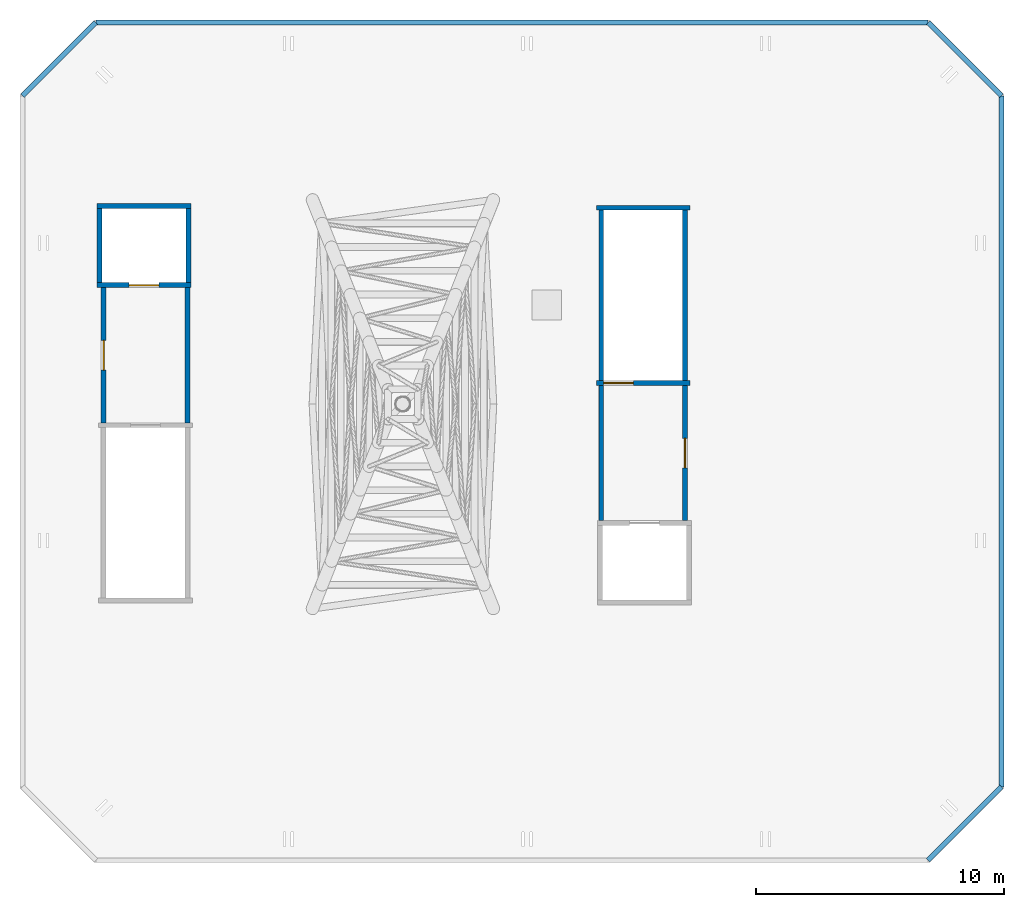
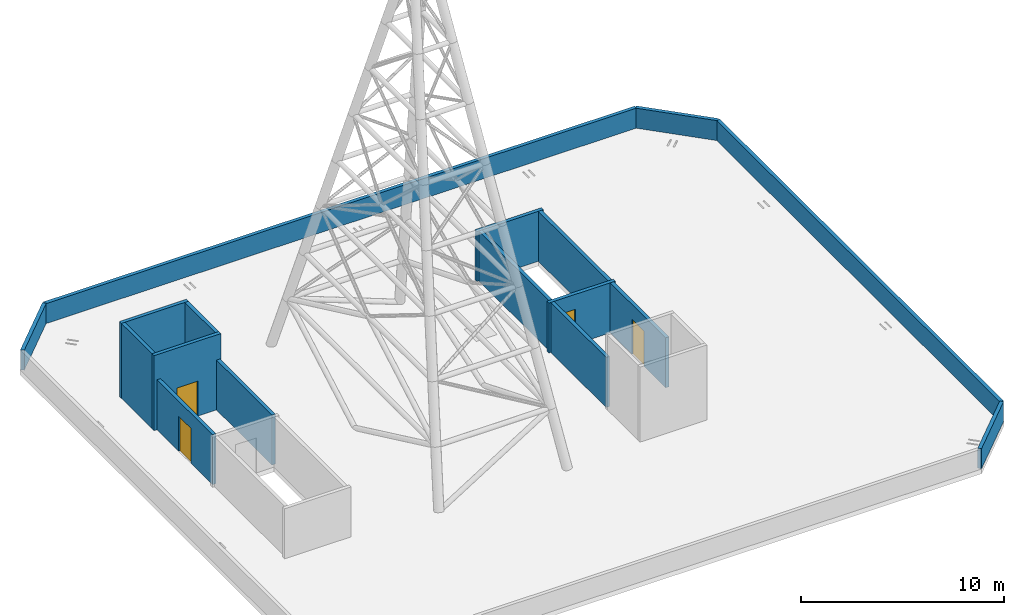
# One storey, part 3 of 3: 17 walls, 4 doors, 4 openings.
"""IFC4 building model written with IfcOpenShell, lengths in metres."""

from ifc_helpers import new_model, si_unit, direction, frame, frame_2d, origin, place, context, subcontext, project, spatial, rectangle, extrude, material, layer, layer_set, constituent, constituent_set, type_object, element, fill, save


model = new_model("IFC4")

# Units and contexts
model_context = context("Model", 3, precision=1e-05, world=origin(), true_north=direction((0.0, 1.0)))
body_context = subcontext(model_context, "Body", "Model", "MODEL_VIEW")
ifc_project = project(units=[si_unit("LENGTHUNIT", "METRE"), si_unit("AREAUNIT", "SQUARE_METRE"), si_unit("VOLUMEUNIT", "CUBIC_METRE"), si_unit("PLANEANGLEUNIT", "RADIAN"), si_unit("MASSUNIT", "GRAM", prefix="KILO")], contexts=[model_context])

# Site, building, storey
site_placement = place(None, origin())
site = spatial("IfcSite", under=ifc_project, at=site_placement, CompositionType="ELEMENT")
building_placement = place(site_placement, origin())
building = spatial("IfcBuilding", under=site, at=building_placement, Name="Jalousie Tower", CompositionType="ELEMENT")
storey_placement = place(building_placement, frame((0.0, 0.0, 277.75)))
storey = spatial("IfcBuildingStorey", under=building, at=storey_placement, Name="RF", CompositionType="ELEMENT", Elevation=277.75)

# Walls
ifc_material_1 = material(Name="Concrete f'c 40 MPa", Category="concrete")
ifc_layer = layer(ifc_material_1, 0.199951171875)
ifc_layer_set = layer_set([ifc_layer], Name="Concrete f'c 40 MPa")
wall_type_1 = type_object("IfcWallType", Name="PARAPET WALL 200", PredefinedType="PARAPET", material=ifc_layer_set)
wall_1_placement = place(storey_placement, frame((53.44140625, 0.10009765625, 0.0), z_axis=(0.0, 0.0, 1.0), x_axis=(0.707106781187, 0.707106781187, 0.0)))
element("IfcWall", 1, at=wall_1_placement, inside=storey, type_object=wall_type_1, Name="Parapet Wall 200 RF", PredefinedType="PARAPET", context=body_context, shape_type="SweptSolid", body=[
    extrude(rectangle(XDim=4.183837890625, YDim=0.199951171875, at=frame_2d((2.091796875, 0.0))), origin(), (0.0, 0.0, 1.0), 1.199951171875),
])
wall_2_placement = place(storey_placement, frame((56.39990234375, 3.05859375, 0.0), z_axis=(0.0, 0.0, 1.0), x_axis=(0.0, 1.0, 0.0)))
element("IfcWall", 2, at=wall_2_placement, inside=storey, type_object=wall_type_1, Name="Parapet Wall 200 RF", PredefinedType="PARAPET", context=body_context, shape_type="SweptSolid", body=[
    extrude(rectangle(XDim=27.8828125, YDim=0.199951171875, at=frame_2d((13.94140625, 0.0))), origin(), (0.0, 0.0, 1.0), 1.199951171875),
])
wall_3_placement = place(storey_placement, frame((56.39990234375, 30.94140625, 0.0), z_axis=(0.0, 0.0, 1.0), x_axis=(-0.707106781187, 0.707106781187, 0.0)))
element("IfcWall", 3, at=wall_3_placement, inside=storey, type_object=wall_type_1, Name="Parapet Wall 200 RF", PredefinedType="PARAPET", context=body_context, shape_type="SweptSolid", body=[
    extrude(rectangle(XDim=4.183837890625, YDim=0.199951171875, at=frame_2d((2.091796875, 0.0))), origin(), (0.0, 0.0, 1.0), 1.199951171875),
])
wall_4_placement = place(storey_placement, frame((53.44140625, 33.89990234375, 0.0), z_axis=(0.0, 0.0, 1.0), x_axis=(-1.0, 0.0, 0.0)))
element("IfcWall", 4, at=wall_4_placement, inside=storey, type_object=wall_type_1, Name="Parapet Wall 200 RF", PredefinedType="PARAPET", context=body_context, shape_type="SweptSolid", body=[
    extrude(rectangle(XDim=33.582763671875, YDim=0.199951171875, at=frame_2d((16.79150390625, 0.0))), origin(), (0.0, 0.0, 1.0), 1.199951171875),
])
wall_5_placement = place(storey_placement, frame((19.858642578125, 33.89990234375, 0.0), z_axis=(0.0, 0.0, 1.0), x_axis=(-0.707135955267, -0.707077605902, 0.0)))
element("IfcWall", 5, at=wall_5_placement, inside=storey, type_object=wall_type_1, Name="Parapet Wall 200 RF", PredefinedType="PARAPET", context=body_context, shape_type="SweptSolid", body=[
    extrude(rectangle(XDim=4.18408203125, YDim=0.199951171875, at=frame_2d((2.092041015625, 0.0))), origin(), (0.0, 0.0, 1.0), 1.199951171875),
])

# Wall, opening, door
ifc_material_2 = material(Name="Concrete block ASTM C90", Category="concrete")
ifc_constituent_1 = constituent(ifc_material_2, Name="Body")
ifc_material_3 = material(Name="Render")
ifc_constituent_2 = constituent(ifc_material_3, Name="Finish")
ifc_constituent_set = constituent_set(constituents=[ifc_constituent_1, ifc_constituent_2])
wall_type_2 = type_object("IfcWallType", Name="STAIR WALL 200", PredefinedType="SOLIDWALL", material=ifc_constituent_set)
wall_6_placement = place(storey_placement, frame((20.175048828125, 17.75, 0.0), z_axis=(0.0, 0.0, 1.0), x_axis=(0.0, 1.0, 0.0)))
wall_6 = element("IfcWall", 6, at=wall_6_placement, inside=storey, type_object=wall_type_2, Name="Fire-fighting lobby A roof wall W", PredefinedType="SOLIDWALL", context=body_context, shape_type="SweptSolid", body=[
    extrude(rectangle(XDim=5.449951171875, YDim=0.199951171875, at=frame_2d((2.72509765625, 0.0))), origin(), (0.0, 0.0, 1.0), 3.0),
])
opening_1_placement = place(wall_6_placement, frame((2.125, 0.0, 0.0)))
opening_1 = element("IfcOpeningElement", 7, at=opening_1_placement, cuts=wall_6, Name="Opening D-EXT", PredefinedType="OPENING", context=body_context, shape_type="SweptSolid", body=[
    extrude(rectangle(XDim=1.199951171875, YDim=2.10009765625, at=frame_2d((0.60009765625, 1.050048828125))), frame((0.0, 0.10986328125, 0.0), z_axis=(0.0, -1.0, 0.0), x_axis=(1.0, 0.0, 0.0)), (0.0, 0.0, 1.0), 0.219970703125),
])
ifc_material_4 = material(Name="Steel door, 90 minute", Category="steel")
door_type_1 = type_object("IfcDoorType", Name="STAIR EXIT DOOR 1200x2100", OperationType="SINGLE_SWING_LEFT", PredefinedType="DOOR", material=ifc_material_4)
door_1_placement = place(opening_1_placement, frame((1.199951171875, 0.0, 0.0), z_axis=(0.0, 0.0, 1.0), x_axis=(-1.0, 0.0, 0.0)))
door_1 = element("IfcDoor", 8, at=door_1_placement, inside=storey, type_object=door_type_1, Name="Roof access door", OperationType="SINGLE_SWING_LEFT", OverallHeight=2.10009765625, OverallWidth=1.199951171875, PredefinedType="DOOR", context=body_context, shape_type="SweptSolid", body=[
    extrude(rectangle(XDim=1.199951171875, YDim=2.10009765625, at=frame_2d((0.60009765625, 1.050048828125))), frame((0.0, 0.02490234375, 0.0), z_axis=(0.0, -1.0, 0.0), x_axis=(1.0, 0.0, 0.0)), (0.0, 0.0, 1.0), 0.050048828125),
])
fill(opening_1, door_1)

# Wall
wall_7_placement = place(storey_placement, frame((23.550048828125, 17.75, 0.0), z_axis=(0.0, 0.0, 1.0), x_axis=(0.0, 1.0, 0.0)))
element("IfcWall", 9, at=wall_7_placement, inside=storey, type_object=wall_type_2, Name="Fire-fighting lobby A roof wall E", PredefinedType="SOLIDWALL", context=body_context, shape_type="SweptSolid", body=[
    extrude(rectangle(XDim=5.449951171875, YDim=0.199951171875, at=frame_2d((2.72509765625, 0.0))), origin(), (0.0, 0.0, 1.0), 3.0),
])

# Wall, opening, door
wall_8_placement = place(storey_placement, frame((19.89990234375, 23.300048828125, 0.0), z_axis=(0.0, 0.0, 1.0), x_axis=(1.0, 0.0, 0.0)))
wall_8 = element("IfcWall", 10, at=wall_8_placement, inside=storey, type_object=wall_type_2, Name="Lift F1 overrun wall S", PredefinedType="SOLIDWALL", context=body_context, shape_type="SweptSolid", body=[
    extrude(rectangle(XDim=3.800048828125, YDim=0.199951171875, at=frame_2d((1.89990234375, 0.0))), origin(), (0.0, 0.0, 1.0), 4.5),
])
opening_2_placement = place(wall_8_placement, frame((1.300048828125, 0.0, 0.0)))
opening_2 = element("IfcOpeningElement", 11, at=opening_2_placement, cuts=wall_8, Name="Opening LD2", PredefinedType="OPENING", context=body_context, shape_type="SweptSolid", body=[
    extrude(rectangle(XDim=1.199951171875, YDim=2.10009765625, at=frame_2d((0.60009765625, 1.050048828125))), frame((0.0, 0.10986328125, 0.0), z_axis=(0.0, -1.0, 0.0), x_axis=(1.0, 0.0, 0.0)), (0.0, 0.0, 1.0), 0.219970703125),
])
ifc_material_5 = material(Name="Steel lift landing door", Category="steel")
door_type_2 = type_object("IfcDoorType", Name="LIFT LANDING DOOR 1200", OperationType="SLIDING_TO_LEFT", PredefinedType="DOOR", material=ifc_material_5)
door_2_placement = place(opening_2_placement, origin())
door_2 = element("IfcDoor", 12, at=door_2_placement, inside=storey, type_object=door_type_2, Name="Lift F1 landing door", OperationType="SLIDING_TO_LEFT", OverallHeight=2.10009765625, OverallWidth=1.199951171875, PredefinedType="DOOR", context=body_context, shape_type="SweptSolid", body=[
    extrude(rectangle(XDim=1.199951171875, YDim=2.10009765625, at=frame_2d((0.60009765625, 1.050048828125))), frame((0.0, 0.02490234375, 0.0), z_axis=(0.0, -1.0, 0.0), x_axis=(1.0, 0.0, 0.0)), (0.0, 0.0, 1.0), 0.050048828125),
])
fill(opening_2, door_2)

# Walls
wall_9_placement = place(storey_placement, frame((23.60009765625, 23.39990234375, 0.0), z_axis=(0.0, 0.0, 1.0), x_axis=(0.0, 1.0, 0.0)))
element("IfcWall", 13, at=wall_9_placement, inside=storey, type_object=wall_type_2, Name="Lift F1 overrun wall E", PredefinedType="SOLIDWALL", context=body_context, shape_type="SweptSolid", body=[
    extrude(rectangle(XDim=3.0, YDim=0.199951171875, at=frame_2d((1.5, 0.0))), origin(), (0.0, 0.0, 1.0), 4.5),
])
wall_10_placement = place(storey_placement, frame((23.699951171875, 26.5, 0.0), z_axis=(0.0, 0.0, 1.0), x_axis=(-1.0, 0.0, 0.0)))
element("IfcWall", 14, at=wall_10_placement, inside=storey, type_object=wall_type_2, Name="Lift F1 overrun wall N", PredefinedType="SOLIDWALL", context=body_context, shape_type="SweptSolid", body=[
    extrude(rectangle(XDim=3.800048828125, YDim=0.199951171875, at=frame_2d((1.89990234375, 0.0))), origin(), (0.0, 0.0, 1.0), 4.5),
])
wall_11_placement = place(storey_placement, frame((20.0, 26.39990234375, 0.0), z_axis=(0.0, 0.0, 1.0), x_axis=(0.0, -1.0, 0.0)))
element("IfcWall", 15, at=wall_11_placement, inside=storey, type_object=wall_type_2, Name="Lift F1 overrun wall W", PredefinedType="SOLIDWALL", context=body_context, shape_type="SweptSolid", body=[
    extrude(rectangle(XDim=3.0, YDim=0.199951171875, at=frame_2d((1.5, 0.0))), origin(), (0.0, 0.0, 1.0), 4.5),
])

# Wall, opening, door
wall_12_placement = place(storey_placement, frame((40.050048828125, 19.35009765625, 0.0), z_axis=(0.0, 0.0, 1.0), x_axis=(1.0, 0.0, 0.0)))
wall_12 = element("IfcWall", 16, at=wall_12_placement, inside=storey, type_object=wall_type_2, Name="Stair B head house wall S", PredefinedType="SOLIDWALL", context=body_context, shape_type="SweptSolid", body=[
    extrude(rectangle(XDim=3.77490234375, YDim=0.199951171875, at=frame_2d((1.887451171875, 0.0))), origin(), (0.0, 0.0, 1.0), 3.0),
])
opening_3_placement = place(wall_12_placement, frame((0.300048828125, 0.0, 0.0)))
opening_3 = element("IfcOpeningElement", 17, at=opening_3_placement, cuts=wall_12, Name="Opening D-EXT", PredefinedType="OPENING", context=body_context, shape_type="SweptSolid", body=[
    extrude(rectangle(XDim=1.199951171875, YDim=2.10009765625, at=frame_2d((0.60009765625, 1.050048828125))), frame((0.0, 0.10986328125, 0.0), z_axis=(0.0, -1.0, 0.0), x_axis=(1.0, 0.0, 0.0)), (0.0, 0.0, 1.0), 0.219970703125),
])
door_3_placement = place(opening_3_placement, frame((1.199951171875, 0.0, 0.0), z_axis=(0.0, 0.0, 1.0), x_axis=(-1.0, 0.0, 0.0)))
door_3 = element("IfcDoor", 18, at=door_3_placement, inside=storey, type_object=door_type_1, Name="Stair B roof lobby door", OperationType="SINGLE_SWING_RIGHT", OverallHeight=2.10009765625, OverallWidth=1.199951171875, PredefinedType="DOOR", context=body_context, shape_type="SweptSolid", body=[
    extrude(rectangle(XDim=1.199951171875, YDim=2.10009765625, at=frame_2d((0.60009765625, 1.050048828125))), frame((0.0, 0.02490234375, 0.0), z_axis=(0.0, -1.0, 0.0), x_axis=(1.0, 0.0, 0.0)), (0.0, 0.0, 1.0), 0.050048828125),
])
fill(opening_3, door_3)

# Walls
wall_13_placement = place(storey_placement, frame((43.625, 19.449951171875, 0.0), z_axis=(0.0, 0.0, 1.0), x_axis=(0.0, 1.0, 0.0)))
element("IfcWall", 19, at=wall_13_placement, inside=storey, type_object=wall_type_2, Name="Stair B head house wall E", PredefinedType="SOLIDWALL", context=body_context, shape_type="SweptSolid", body=[
    extrude(rectangle(XDim=6.875, YDim=0.199951171875, at=frame_2d((3.4375, 0.0))), origin(), (0.0, 0.0, 1.0), 3.0),
])
wall_14_placement = place(storey_placement, frame((43.824951171875, 26.425048828125, 0.0), z_axis=(0.0, 0.0, 1.0), x_axis=(-1.0, 0.0, 0.0)))
element("IfcWall", 20, at=wall_14_placement, inside=storey, type_object=wall_type_2, Name="Stair B head house wall N", PredefinedType="SOLIDWALL", context=body_context, shape_type="SweptSolid", body=[
    extrude(rectangle(XDim=3.77490234375, YDim=0.199951171875, at=frame_2d((1.887451171875, 0.0))), origin(), (0.0, 0.0, 1.0), 3.0),
])
wall_15_placement = place(storey_placement, frame((40.25, 26.324951171875, 0.0), z_axis=(0.0, 0.0, 1.0), x_axis=(0.0, -1.0, 0.0)))
element("IfcWall", 21, at=wall_15_placement, inside=storey, type_object=wall_type_2, Name="Stair B head house wall W", PredefinedType="SOLIDWALL", context=body_context, shape_type="SweptSolid", body=[
    extrude(rectangle(XDim=6.875, YDim=0.199951171875, at=frame_2d((3.4375, 0.0))), origin(), (0.0, 0.0, 1.0), 3.0),
])
wall_16_placement = place(storey_placement, frame((40.25, 19.25, 0.0), z_axis=(0.0, 0.0, 1.0), x_axis=(0.0, -1.0, 0.0)))
element("IfcWall", 22, at=wall_16_placement, inside=storey, type_object=wall_type_2, Name="Fire-fighting lobby B roof wall W", PredefinedType="SOLIDWALL", context=body_context, shape_type="SweptSolid", body=[
    extrude(rectangle(XDim=5.449951171875, YDim=0.199951171875, at=frame_2d((2.72509765625, 0.0))), origin(), (0.0, 0.0, 1.0), 3.0),
])

# Wall, opening, door
wall_17_placement = place(storey_placement, frame((43.625, 19.25, 0.0), z_axis=(0.0, 0.0, 1.0), x_axis=(0.0, -1.0, 0.0)))
wall_17 = element("IfcWall", 23, at=wall_17_placement, inside=storey, type_object=wall_type_2, Name="Fire-fighting lobby B roof wall E", PredefinedType="SOLIDWALL", context=body_context, shape_type="SweptSolid", body=[
    extrude(rectangle(XDim=5.449951171875, YDim=0.199951171875, at=frame_2d((2.72509765625, 0.0))), origin(), (0.0, 0.0, 1.0), 3.0),
])
opening_4_placement = place(wall_17_placement, frame((2.125, 0.0, 0.0)))
opening_4 = element("IfcOpeningElement", 24, at=opening_4_placement, cuts=wall_17, Name="Opening D-EXT", PredefinedType="OPENING", context=body_context, shape_type="SweptSolid", body=[
    extrude(rectangle(XDim=1.199951171875, YDim=2.10009765625, at=frame_2d((0.60009765625, 1.050048828125))), frame((0.0, 0.10986328125, 0.0), z_axis=(0.0, -1.0, 0.0), x_axis=(1.0, 0.0, 0.0)), (0.0, 0.0, 1.0), 0.219970703125),
])
door_4_placement = place(opening_4_placement, frame((1.199951171875, 0.0, 0.0), z_axis=(0.0, 0.0, 1.0), x_axis=(-1.0, 0.0, 0.0)))
door_4 = element("IfcDoor", 25, at=door_4_placement, inside=storey, type_object=door_type_1, Name="Roof access door", OperationType="SINGLE_SWING_LEFT", OverallHeight=2.10009765625, OverallWidth=1.199951171875, PredefinedType="DOOR", context=body_context, shape_type="SweptSolid", body=[
    extrude(rectangle(XDim=1.199951171875, YDim=2.10009765625, at=frame_2d((0.60009765625, 1.050048828125))), frame((0.0, 0.02490234375, 0.0), z_axis=(0.0, -1.0, 0.0), x_axis=(1.0, 0.0, 0.0)), (0.0, 0.0, 1.0), 0.050048828125),
])
fill(opening_4, door_4)

save(model, "model.ifc")
